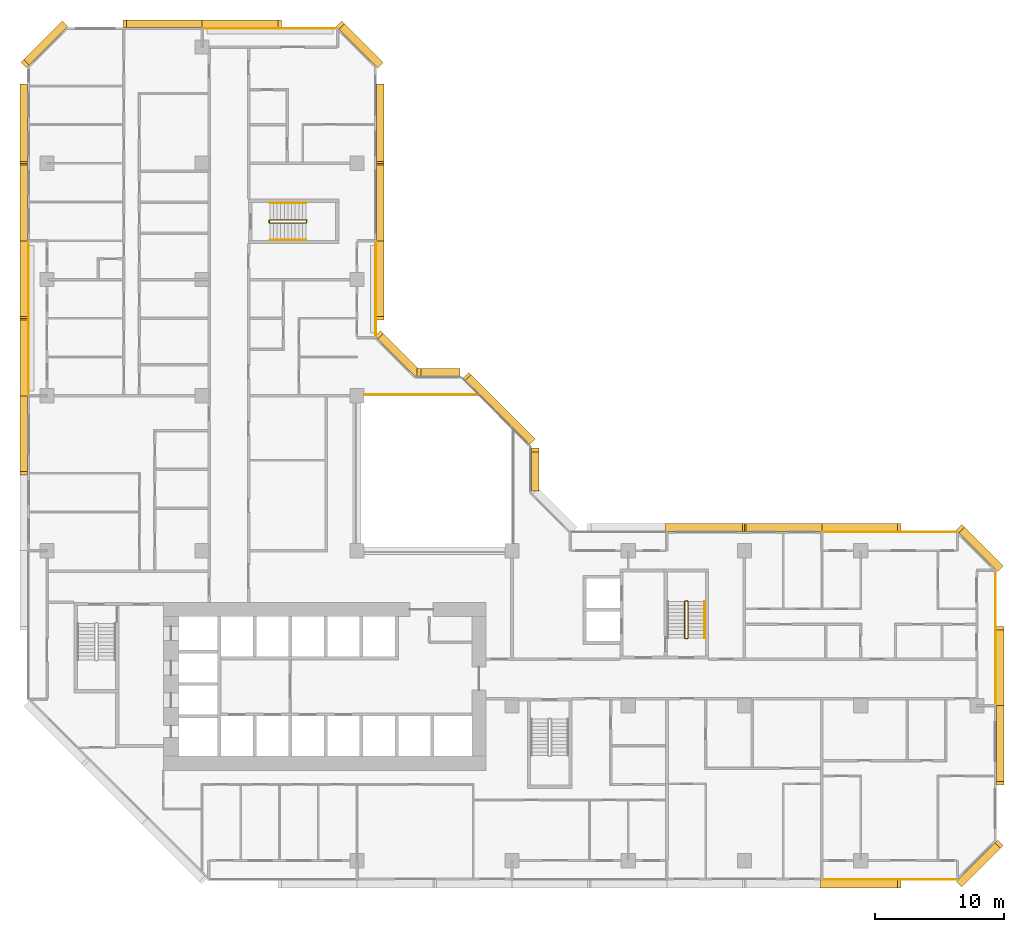
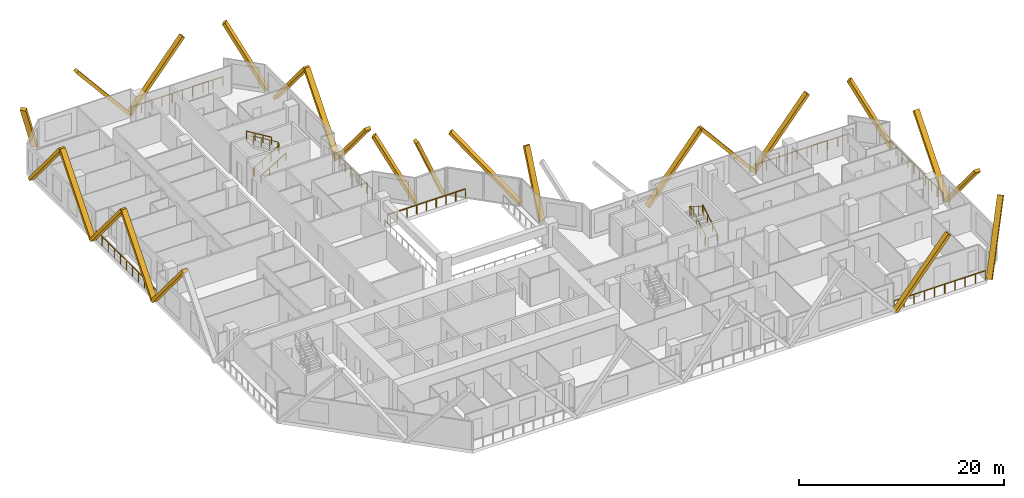
# One storey, part 15 of 15: 24 coverings, 12 railings.
"""IFC4 building model written with IfcOpenShell, lengths in metres."""

from ifc_helpers import new_model, si_unit, direction, frame, origin, origin_2d, place, context, subcontext, project, spatial, rectangle, extrude, material, material_profile, profile_set, type_object, element, save


model = new_model("IFC4")

# Units and contexts
model_context = context("Model", 3, precision=1e-05, world=origin(), true_north=direction((0.0, 1.0)))
body_context = subcontext(model_context, "Body", "Model", "MODEL_VIEW")
ifc_project = project(units=[si_unit("LENGTHUNIT", "METRE"), si_unit("AREAUNIT", "SQUARE_METRE"), si_unit("VOLUMEUNIT", "CUBIC_METRE"), si_unit("PLANEANGLEUNIT", "RADIAN"), si_unit("MASSUNIT", "GRAM", prefix="KILO")], contexts=[model_context])

# Site, building, storey
site_placement = place(None, origin())
site = spatial("IfcSite", under=ifc_project, at=site_placement, CompositionType="ELEMENT")
building_placement = place(site_placement, origin())
building = spatial("IfcBuilding", under=site, at=building_placement, Name="Chenar Terraces", CompositionType="ELEMENT")
storey_placement = place(building_placement, frame((0.0, 0.0, 56.39990234375)))
storey = spatial("IfcBuildingStorey", under=building, at=storey_placement, Name="L11", CompositionType="ELEMENT", Elevation=56.39990234375)

# Railings
ifc_material_1 = material(Name="Powder-coated steel", Category="steel")
railing_type_1 = type_object("IfcRailingType", Name="Guard 1100 steel rail with glass infill", PredefinedType="GUARDRAIL", material=ifc_material_1)
railing_1_placement = place(storey_placement, frame((24.60009765625, 36.10009765625, 0.0)))
element("IfcRailing", 1, at=railing_1_placement, inside=storey, type_object=railing_type_1, Name="Guard L11-2", PredefinedType="GUARDRAIL", context=body_context, shape_type="SweptSolid", body=[
    extrude(rectangle(XDim=0.06005859375, YDim=0.06005859375, at=origin_2d()), frame((0.0, 0.0, 1.070068359375), z_axis=(1.0, 0.0, 0.0), x_axis=(0.0, 1.0, 0.0)), (0.0, 0.0, 1.0), 8.7998046875),
    extrude(rectangle(XDim=0.050048828125, YDim=0.050048828125, at=origin_2d()), origin(), (0.0, 0.0, 1.0), 1.0400390625),
    extrude(rectangle(XDim=0.050048828125, YDim=0.050048828125, at=origin_2d()), frame((1.10009765625, 0.0, 0.0)), (0.0, 0.0, 1.0), 1.0400390625),
    extrude(rectangle(XDim=0.050048828125, YDim=0.050048828125, at=origin_2d()), frame((2.199951171875, 0.0, 0.0)), (0.0, 0.0, 1.0), 1.0400390625),
    extrude(rectangle(XDim=0.050048828125, YDim=0.050048828125, at=origin_2d()), frame((3.2998046875, 0.0, 0.0)), (0.0, 0.0, 1.0), 1.0400390625),
    extrude(rectangle(XDim=0.050048828125, YDim=0.050048828125, at=origin_2d()), frame((4.39990234375, 0.0, 0.0)), (0.0, 0.0, 1.0), 1.0400390625),
    extrude(rectangle(XDim=0.050048828125, YDim=0.050048828125, at=origin_2d()), frame((5.5, 0.0, 0.0)), (0.0, 0.0, 1.0), 1.0400390625),
    extrude(rectangle(XDim=0.050048828125, YDim=0.050048828125, at=origin_2d()), frame((6.599853515625, 0.0, 0.0)), (0.0, 0.0, 1.0), 1.0400390625),
    extrude(rectangle(XDim=0.050048828125, YDim=0.050048828125, at=origin_2d()), frame((7.69970703125, 0.0, 0.0)), (0.0, 0.0, 1.0), 1.0400390625),
    extrude(rectangle(XDim=0.050048828125, YDim=0.050048828125, at=origin_2d()), frame((8.7998046875, 0.0, 0.0)), (0.0, 0.0, 1.0), 1.0400390625),
])
ifc_material_2 = material(Name="Stainless steel and glass", Category="steel")
railing_type_2 = type_object("IfcRailingType", Name="Loggia guard 1150", PredefinedType="GUARDRAIL", material=ifc_material_2)
railing_2_placement = place(storey_placement, frame((25.449951171875, 40.574951171875, 0.0)))
element("IfcRailing", 2, at=railing_2_placement, inside=storey, type_object=railing_type_2, Name="Loggia guard", PredefinedType="GUARDRAIL", context=body_context, shape_type="SweptSolid", body=[
    extrude(rectangle(XDim=0.048095703125, YDim=0.048095703125, at=origin_2d()), frame((0.0, 0.0, 1.1259765625), z_axis=(0.0, 1.0, 0.0), x_axis=(-1.0, 0.0, 0.0)), (0.0, 0.0, 1.0), 7.35009765625),
    extrude(rectangle(XDim=0.0419921875, YDim=0.0419921875, at=origin_2d()), origin(), (0.0, 0.0, 1.0), 1.101806640625),
    extrude(rectangle(XDim=0.0419921875, YDim=0.0419921875, at=origin_2d()), frame((0.0, 1.050048828125, 0.0)), (0.0, 0.0, 1.0), 1.101806640625),
    extrude(rectangle(XDim=0.0419921875, YDim=0.0419921875, at=origin_2d()), frame((0.0, 2.10009765625, 0.0)), (0.0, 0.0, 1.0), 1.101806640625),
    extrude(rectangle(XDim=0.0419921875, YDim=0.0419921875, at=origin_2d()), frame((0.0, 3.150146484375, 0.0)), (0.0, 0.0, 1.0), 1.101806640625),
    extrude(rectangle(XDim=0.0419921875, YDim=0.0419921875, at=origin_2d()), frame((0.0, 4.199951171875, 0.0)), (0.0, 0.0, 1.0), 1.101806640625),
    extrude(rectangle(XDim=0.0419921875, YDim=0.0419921875, at=origin_2d()), frame((0.0, 5.25, 0.0)), (0.0, 0.0, 1.0), 1.101806640625),
    extrude(rectangle(XDim=0.0419921875, YDim=0.0419921875, at=origin_2d()), frame((0.0, 6.300048828125, 0.0)), (0.0, 0.0, 1.0), 1.101806640625),
    extrude(rectangle(XDim=0.0419921875, YDim=0.0419921875, at=origin_2d()), frame((0.0, 7.35009765625, 0.0)), (0.0, 0.0, 1.0), 1.101806640625),
])
railing_3_placement = place(storey_placement, frame((73.449951171875, 12.074951171875, 0.0)))
element("IfcRailing", 3, at=railing_3_placement, inside=storey, type_object=railing_type_2, Name="Loggia guard", PredefinedType="GUARDRAIL", context=body_context, shape_type="SweptSolid", body=[
    extrude(rectangle(XDim=0.048095703125, YDim=0.048095703125, at=origin_2d()), frame((0.0, 0.0, 1.1259765625), z_axis=(0.0, 1.0, 0.0), x_axis=(-1.0, 0.0, 0.0)), (0.0, 0.0, 1.0), 10.35009765625),
    extrude(rectangle(XDim=0.0419921875, YDim=0.0419921875, at=origin_2d()), origin(), (0.0, 0.0, 1.0), 1.101806640625),
    extrude(rectangle(XDim=0.0419921875, YDim=0.0419921875, at=origin_2d()), frame((0.0, 1.14990234375, 0.0)), (0.0, 0.0, 1.0), 1.101806640625),
    extrude(rectangle(XDim=0.0419921875, YDim=0.0419921875, at=origin_2d()), frame((0.0, 2.300048828125, 0.0)), (0.0, 0.0, 1.0), 1.101806640625),
    extrude(rectangle(XDim=0.0419921875, YDim=0.0419921875, at=origin_2d()), frame((0.0, 3.449951171875, 0.0)), (0.0, 0.0, 1.0), 1.101806640625),
    extrude(rectangle(XDim=0.0419921875, YDim=0.0419921875, at=origin_2d()), frame((0.0, 4.60009765625, 0.0)), (0.0, 0.0, 1.0), 1.101806640625),
    extrude(rectangle(XDim=0.0419921875, YDim=0.0419921875, at=origin_2d()), frame((0.0, 5.75, 0.0)), (0.0, 0.0, 1.0), 1.101806640625),
    extrude(rectangle(XDim=0.0419921875, YDim=0.0419921875, at=origin_2d()), frame((0.0, 6.900146484375, 0.0)), (0.0, 0.0, 1.0), 1.101806640625),
    extrude(rectangle(XDim=0.0419921875, YDim=0.0419921875, at=origin_2d()), frame((0.0, 8.050048828125, 0.0)), (0.0, 0.0, 1.0), 1.101806640625),
    extrude(rectangle(XDim=0.0419921875, YDim=0.0419921875, at=origin_2d()), frame((0.0, 9.2001953125, 0.0)), (0.0, 0.0, 1.0), 1.101806640625),
    extrude(rectangle(XDim=0.0419921875, YDim=0.0419921875, at=origin_2d()), frame((0.0, 10.35009765625, 0.0)), (0.0, 0.0, 1.0), 1.101806640625),
])
for number, where, name in (
    (4, (70.425048828125, 25.449951171875, 0.0), "Loggia guard"),
    (5, (22.425048828125, 64.449951171875, 0.0), "Loggia guard"),
):
    element("IfcRailing", number, at=place(storey_placement, frame(where)), inside=storey, type_object=railing_type_2, Name=name, PredefinedType="GUARDRAIL", context=body_context, shape_type="SweptSolid", body=[
        extrude(rectangle(XDim=0.048095703125, YDim=0.048095703125, at=origin_2d()), frame((0.0, 0.0, 1.1259765625), z_axis=(-1.0, 0.0, 0.0), x_axis=(0.0, -1.0, 0.0)), (0.0, 0.0, 1.0), 10.35009765625),
        extrude(rectangle(XDim=0.0419921875, YDim=0.0419921875, at=origin_2d()), origin(), (0.0, 0.0, 1.0), 1.101806640625),
        extrude(rectangle(XDim=0.0419921875, YDim=0.0419921875, at=origin_2d()), frame((-1.14990234375, 0.0, 0.0)), (0.0, 0.0, 1.0), 1.101806640625),
        extrude(rectangle(XDim=0.0419921875, YDim=0.0419921875, at=origin_2d()), frame((-2.300048828125, 0.0, 0.0)), (0.0, 0.0, 1.0), 1.101806640625),
        extrude(rectangle(XDim=0.0419921875, YDim=0.0419921875, at=origin_2d()), frame((-3.449951171875, 0.0, 0.0)), (0.0, 0.0, 1.0), 1.101806640625),
        extrude(rectangle(XDim=0.0419921875, YDim=0.0419921875, at=origin_2d()), frame((-4.60009765625, 0.0, 0.0)), (0.0, 0.0, 1.0), 1.101806640625),
        extrude(rectangle(XDim=0.0419921875, YDim=0.0419921875, at=origin_2d()), frame((-5.75, 0.0, 0.0)), (0.0, 0.0, 1.0), 1.101806640625),
        extrude(rectangle(XDim=0.0419921875, YDim=0.0419921875, at=origin_2d()), frame((-6.900146484375, 0.0, 0.0)), (0.0, 0.0, 1.0), 1.101806640625),
        extrude(rectangle(XDim=0.0419921875, YDim=0.0419921875, at=origin_2d()), frame((-8.050048828125, 0.0, 0.0)), (0.0, 0.0, 1.0), 1.101806640625),
        extrude(rectangle(XDim=0.0419921875, YDim=0.0419921875, at=origin_2d()), frame((-9.2001953125, 0.0, 0.0)), (0.0, 0.0, 1.0), 1.101806640625),
        extrude(rectangle(XDim=0.0419921875, YDim=0.0419921875, at=origin_2d()), frame((-10.35009765625, 0.0, 0.0)), (0.0, 0.0, 1.0), 1.101806640625),
    ])
railing_4_placement = place(storey_placement, frame((60.074951171875, -1.449951171875, 0.0)))
element("IfcRailing", 6, at=railing_4_placement, inside=storey, type_object=railing_type_2, Name="Loggia guard", PredefinedType="GUARDRAIL", context=body_context, shape_type="SweptSolid", body=[
    extrude(rectangle(XDim=0.048095703125, YDim=0.048095703125, at=origin_2d()), frame((0.0, 0.0, 1.1259765625), z_axis=(1.0, 0.0, 0.0), x_axis=(0.0, 1.0, 0.0)), (0.0, 0.0, 1.0), 10.35009765625),
    extrude(rectangle(XDim=0.0419921875, YDim=0.0419921875, at=origin_2d()), origin(), (0.0, 0.0, 1.0), 1.101806640625),
    extrude(rectangle(XDim=0.0419921875, YDim=0.0419921875, at=origin_2d()), frame((1.14990234375, 0.0, 0.0)), (0.0, 0.0, 1.0), 1.101806640625),
    extrude(rectangle(XDim=0.0419921875, YDim=0.0419921875, at=origin_2d()), frame((2.300048828125, 0.0, 0.0)), (0.0, 0.0, 1.0), 1.101806640625),
    extrude(rectangle(XDim=0.0419921875, YDim=0.0419921875, at=origin_2d()), frame((3.449951171875, 0.0, 0.0)), (0.0, 0.0, 1.0), 1.101806640625),
    extrude(rectangle(XDim=0.0419921875, YDim=0.0419921875, at=origin_2d()), frame((4.60009765625, 0.0, 0.0)), (0.0, 0.0, 1.0), 1.101806640625),
    extrude(rectangle(XDim=0.0419921875, YDim=0.0419921875, at=origin_2d()), frame((5.75, 0.0, 0.0)), (0.0, 0.0, 1.0), 1.101806640625),
    extrude(rectangle(XDim=0.0419921875, YDim=0.0419921875, at=origin_2d()), frame((6.900146484375, 0.0, 0.0)), (0.0, 0.0, 1.0), 1.101806640625),
    extrude(rectangle(XDim=0.0419921875, YDim=0.0419921875, at=origin_2d()), frame((8.050048828125, 0.0, 0.0)), (0.0, 0.0, 1.0), 1.101806640625),
    extrude(rectangle(XDim=0.0419921875, YDim=0.0419921875, at=origin_2d()), frame((9.2001953125, 0.0, 0.0)), (0.0, 0.0, 1.0), 1.101806640625),
    extrude(rectangle(XDim=0.0419921875, YDim=0.0419921875, at=origin_2d()), frame((10.35009765625, 0.0, 0.0)), (0.0, 0.0, 1.0), 1.101806640625),
])
railing_5_placement = place(storey_placement, frame((-1.449951171875, 47.925048828125, 0.0)))
element("IfcRailing", 7, at=railing_5_placement, inside=storey, type_object=railing_type_2, Name="Loggia guard", PredefinedType="GUARDRAIL", context=body_context, shape_type="SweptSolid", body=[
    extrude(rectangle(XDim=0.048095703125, YDim=0.048095703125, at=origin_2d()), frame((0.0, 0.0, 1.1259765625), z_axis=(0.0, -1.0, 0.0), x_axis=(1.0, 0.0, 0.0)), (0.0, 0.0, 1.0), 11.85009765625),
    extrude(rectangle(XDim=0.0419921875, YDim=0.0419921875, at=origin_2d()), origin(), (0.0, 0.0, 1.0), 1.101806640625),
    extrude(rectangle(XDim=0.0419921875, YDim=0.0419921875, at=origin_2d()), frame((0.0, -1.18505859375, 0.0)), (0.0, 0.0, 1.0), 1.101806640625),
    extrude(rectangle(XDim=0.0419921875, YDim=0.0419921875, at=origin_2d()), frame((0.0, -2.3701171875, 0.0)), (0.0, 0.0, 1.0), 1.101806640625),
    extrude(rectangle(XDim=0.0419921875, YDim=0.0419921875, at=origin_2d()), frame((0.0, -3.554931640625, 0.0)), (0.0, 0.0, 1.0), 1.101806640625),
    extrude(rectangle(XDim=0.0419921875, YDim=0.0419921875, at=origin_2d()), frame((0.0, -4.739990234375, 0.0)), (0.0, 0.0, 1.0), 1.101806640625),
    extrude(rectangle(XDim=0.0419921875, YDim=0.0419921875, at=origin_2d()), frame((0.0, -5.925048828125, 0.0)), (0.0, 0.0, 1.0), 1.101806640625),
    extrude(rectangle(XDim=0.0419921875, YDim=0.0419921875, at=origin_2d()), frame((0.0, -7.110107421875, 0.0)), (0.0, 0.0, 1.0), 1.101806640625),
    extrude(rectangle(XDim=0.0419921875, YDim=0.0419921875, at=origin_2d()), frame((0.0, -8.295166015625, 0.0)), (0.0, 0.0, 1.0), 1.101806640625),
    extrude(rectangle(XDim=0.0419921875, YDim=0.0419921875, at=origin_2d()), frame((0.0, -9.47998046875, 0.0)), (0.0, 0.0, 1.0), 1.101806640625),
    extrude(rectangle(XDim=0.0419921875, YDim=0.0419921875, at=origin_2d()), frame((0.0, -10.6650390625, 0.0)), (0.0, 0.0, 1.0), 1.101806640625),
    extrude(rectangle(XDim=0.0419921875, YDim=0.0419921875, at=origin_2d()), frame((0.0, -11.85009765625, 0.0)), (0.0, 0.0, 1.0), 1.101806640625),
])
ifc_material_3 = material(Name="Powder-coated steel", Category="steel")
railing_type_3 = type_object("IfcRailingType", Name="Stair guard 1100", PredefinedType="GUARDRAIL", material=ifc_material_3)
railing_6_placement = place(storey_placement, frame((49.375, 17.25, 3.75)))
element("IfcRailing", 8, at=railing_6_placement, inside=storey, type_object=railing_type_3, Name="L11 ST3 stair guard 1", PredefinedType="GUARDRAIL", context=body_context, shape_type="SweptSolid", body=[
    extrude(rectangle(XDim=0.048095703125, YDim=0.048095703125, at=origin_2d()), frame((0.0, 0.0, 1.076171875), z_axis=(0.0, 0.854202870247, -0.519939858505), x_axis=(-1.0, 0.0, 0.0)), (0.0, 0.0, 1.0), 3.278076171875),
    extrude(rectangle(XDim=0.048095703125, YDim=0.048095703125, at=origin_2d()), frame((0.0, 2.800048828125, -0.62841796875), z_axis=(0.270899902878, 0.270899902878, -0.923702595667), x_axis=(-0.707106781187, 0.707106781187, 0.0)), (0.0, 0.0, 1.0), 0.184814453125),
    extrude(rectangle(XDim=0.048095703125, YDim=0.048095703125, at=origin_2d()), frame((0.050048828125, 2.85009765625, -0.798828125), z_axis=(1.0, 0.0, 0.0), x_axis=(0.0, 1.0, 0.0)), (0.0, 0.0, 1.0), 0.14990234375),
    extrude(rectangle(XDim=0.048095703125, YDim=0.048095703125, at=origin_2d()), frame((0.199951171875, 2.85009765625, -0.798828125), z_axis=(0.707106781187, -0.707106781187, 0.0), x_axis=(0.707106781187, 0.707106781187, 0.0)), (0.0, 0.0, 1.0), 0.07080078125),
    extrude(rectangle(XDim=0.048095703125, YDim=0.048095703125, at=origin_2d()), frame((0.25, 2.800048828125, -0.798828125), z_axis=(0.0, -0.854202870247, -0.519939858505), x_axis=(1.0, 0.0, 0.0)), (0.0, 0.0, 1.0), 3.278076171875),
    extrude(rectangle(XDim=0.048095703125, YDim=0.048095703125, at=origin_2d()), frame((0.25, 0.0, -2.50341796875), z_axis=(-0.270899902878, -0.270899902878, -0.923702595667), x_axis=(0.707106781187, -0.707106781187, 0.0)), (0.0, 0.0, 1.0), 0.184814453125),
    extrude(rectangle(XDim=0.048095703125, YDim=0.048095703125, at=origin_2d()), frame((0.199951171875, -0.050048828125, -2.673828125), z_axis=(-1.0, 0.0, 0.0), x_axis=(0.0, -1.0, 0.0)), (0.0, 0.0, 1.0), 0.14990234375),
    extrude(rectangle(XDim=0.0419921875, YDim=0.0419921875, at=origin_2d()), origin(), (0.0, 0.0, 1.0), 1.052001953125),
    extrude(rectangle(XDim=0.0419921875, YDim=0.0419921875, at=origin_2d()), frame((0.0, 0.933349609375, -0.568115234375)), (0.0, 0.0, 1.0), 1.052001953125),
    extrude(rectangle(XDim=0.0419921875, YDim=0.0419921875, at=origin_2d()), frame((0.0, 1.86669921875, -1.13623046875)), (0.0, 0.0, 1.0), 1.052001953125),
    extrude(rectangle(XDim=0.0419921875, YDim=0.0419921875, at=origin_2d()), frame((0.0, 2.800048828125, -1.704345703125)), (0.0, 0.0, 1.0), 1.052001953125),
    extrude(rectangle(XDim=0.0419921875, YDim=0.0419921875, at=origin_2d()), frame((0.050048828125, 2.85009765625, -1.875)), (0.0, 0.0, 1.0), 1.052001953125),
    extrude(rectangle(XDim=0.0419921875, YDim=0.0419921875, at=origin_2d()), frame((0.199951171875, 2.85009765625, -1.875)), (0.0, 0.0, 1.0), 1.052001953125),
    extrude(rectangle(XDim=0.0419921875, YDim=0.0419921875, at=origin_2d()), frame((0.25, 2.800048828125, -1.875)), (0.0, 0.0, 1.0), 1.052001953125),
    extrude(rectangle(XDim=0.0419921875, YDim=0.0419921875, at=origin_2d()), frame((0.25, 1.86669921875, -2.443115234375)), (0.0, 0.0, 1.0), 1.052001953125),
    extrude(rectangle(XDim=0.0419921875, YDim=0.0419921875, at=origin_2d()), frame((0.25, 0.933349609375, -3.01123046875)), (0.0, 0.0, 1.0), 1.052001953125),
    extrude(rectangle(XDim=0.0419921875, YDim=0.0419921875, at=origin_2d()), frame((0.25, 0.0, -3.579345703125)), (0.0, 0.0, 1.0), 1.052001953125),
    extrude(rectangle(XDim=0.0419921875, YDim=0.0419921875, at=origin_2d()), frame((0.199951171875, -0.050048828125, -3.75)), (0.0, 0.0, 1.0), 1.052001953125),
    extrude(rectangle(XDim=0.0419921875, YDim=0.0419921875, at=origin_2d()), frame((0.050048828125, -0.050048828125, -3.75)), (0.0, 0.0, 1.0), 1.052001953125),
])
railing_7_placement = place(storey_placement, frame((17.25, 49.625, 3.75)))
element("IfcRailing", 9, at=railing_7_placement, inside=storey, type_object=railing_type_3, Name="L11 ST4 stair guard 1", PredefinedType="GUARDRAIL", context=body_context, shape_type="SweptSolid", body=[
    extrude(rectangle(XDim=0.048095703125, YDim=0.048095703125, at=origin_2d()), frame((0.0, 0.0, 1.076171875), z_axis=(0.854202870247, 0.0, -0.519939858505), x_axis=(0.0, 1.0, 0.0)), (0.0, 0.0, 1.0), 3.278076171875),
    extrude(rectangle(XDim=0.048095703125, YDim=0.048095703125, at=origin_2d()), frame((2.800048828125, 0.0, -0.62841796875), z_axis=(0.270899902878, -0.270899902878, -0.923702595667), x_axis=(0.707106781187, 0.707106781187, 0.0)), (0.0, 0.0, 1.0), 0.184814453125),
    extrude(rectangle(XDim=0.048095703125, YDim=0.048095703125, at=origin_2d()), frame((2.85009765625, -0.050048828125, -0.798828125), z_axis=(0.0, -1.0, 0.0), x_axis=(1.0, 0.0, 0.0)), (0.0, 0.0, 1.0), 0.14990234375),
    extrude(rectangle(XDim=0.048095703125, YDim=0.048095703125, at=origin_2d()), frame((2.85009765625, -0.199951171875, -0.798828125), z_axis=(-0.707106781187, -0.707106781187, 0.0), x_axis=(0.707106781187, -0.707106781187, 0.0)), (0.0, 0.0, 1.0), 0.07080078125),
    extrude(rectangle(XDim=0.048095703125, YDim=0.048095703125, at=origin_2d()), frame((2.800048828125, -0.25, -0.798828125), z_axis=(-0.854202870247, 0.0, -0.519939858505), x_axis=(0.0, -1.0, 0.0)), (0.0, 0.0, 1.0), 3.278076171875),
    extrude(rectangle(XDim=0.048095703125, YDim=0.048095703125, at=origin_2d()), frame((0.0, -0.25, -2.50341796875), z_axis=(-0.270899902878, 0.270899902878, -0.923702595667), x_axis=(-0.707106781187, -0.707106781187, 0.0)), (0.0, 0.0, 1.0), 0.184814453125),
    extrude(rectangle(XDim=0.048095703125, YDim=0.048095703125, at=origin_2d()), frame((-0.050048828125, -0.199951171875, -2.673828125), z_axis=(0.0, 1.0, 0.0), x_axis=(-1.0, 0.0, 0.0)), (0.0, 0.0, 1.0), 0.14990234375),
    extrude(rectangle(XDim=0.0419921875, YDim=0.0419921875, at=origin_2d()), origin(), (0.0, 0.0, 1.0), 1.052001953125),
    extrude(rectangle(XDim=0.0419921875, YDim=0.0419921875, at=origin_2d()), frame((0.933349609375, 0.0, -0.568115234375)), (0.0, 0.0, 1.0), 1.052001953125),
    extrude(rectangle(XDim=0.0419921875, YDim=0.0419921875, at=origin_2d()), frame((1.86669921875, 0.0, -1.13623046875)), (0.0, 0.0, 1.0), 1.052001953125),
    extrude(rectangle(XDim=0.0419921875, YDim=0.0419921875, at=origin_2d()), frame((2.800048828125, 0.0, -1.704345703125)), (0.0, 0.0, 1.0), 1.052001953125),
    extrude(rectangle(XDim=0.0419921875, YDim=0.0419921875, at=origin_2d()), frame((2.85009765625, -0.050048828125, -1.875)), (0.0, 0.0, 1.0), 1.052001953125),
    extrude(rectangle(XDim=0.0419921875, YDim=0.0419921875, at=origin_2d()), frame((2.85009765625, -0.199951171875, -1.875)), (0.0, 0.0, 1.0), 1.052001953125),
    extrude(rectangle(XDim=0.0419921875, YDim=0.0419921875, at=origin_2d()), frame((2.800048828125, -0.25, -1.875)), (0.0, 0.0, 1.0), 1.052001953125),
    extrude(rectangle(XDim=0.0419921875, YDim=0.0419921875, at=origin_2d()), frame((1.86669921875, -0.25, -2.443115234375)), (0.0, 0.0, 1.0), 1.052001953125),
    extrude(rectangle(XDim=0.0419921875, YDim=0.0419921875, at=origin_2d()), frame((0.933349609375, -0.25, -3.01123046875)), (0.0, 0.0, 1.0), 1.052001953125),
    extrude(rectangle(XDim=0.0419921875, YDim=0.0419921875, at=origin_2d()), frame((0.0, -0.25, -3.579345703125)), (0.0, 0.0, 1.0), 1.052001953125),
    extrude(rectangle(XDim=0.0419921875, YDim=0.0419921875, at=origin_2d()), frame((-0.050048828125, -0.199951171875, -3.75)), (0.0, 0.0, 1.0), 1.052001953125),
    extrude(rectangle(XDim=0.0419921875, YDim=0.0419921875, at=origin_2d()), frame((-0.050048828125, -0.050048828125, -3.75)), (0.0, 0.0, 1.0), 1.052001953125),
])
ifc_material_4 = material(Name="Powder-coated steel", Category="steel")
railing_type_4 = type_object("IfcRailingType", Name="Stair handrail 900", PredefinedType="HANDRAIL", material=ifc_material_4)
railing_8_placement = place(storey_placement, frame((50.925048828125, 17.25, 0.170654296875)))
element("IfcRailing", 10, at=railing_8_placement, inside=storey, type_object=railing_type_4, Name="L11 ST3 stair handrail 1", PredefinedType="HANDRAIL", context=body_context, shape_type="SweptSolid", body=[
    extrude(rectangle(XDim=0.048095703125, YDim=0.048095703125, at=origin_2d()), frame((0.0, 0.0, 0.8759765625), z_axis=(0.0, 0.854202870247, 0.519939858505), x_axis=(-1.0, 0.0, 0.0)), (0.0, 0.0, 1.0), 3.278076171875),
    extrude(rectangle(XDim=0.0419921875, YDim=0.0419921875, at=origin_2d()), origin(), (0.0, 0.0, 1.0), 0.851806640625),
    extrude(rectangle(XDim=0.0419921875, YDim=0.0419921875, at=origin_2d()), frame((0.0, 0.933349609375, 0.568115234375)), (0.0, 0.0, 1.0), 0.851806640625),
    extrude(rectangle(XDim=0.0419921875, YDim=0.0419921875, at=origin_2d()), frame((0.0, 1.86669921875, 1.13623046875)), (0.0, 0.0, 1.0), 0.851806640625),
    extrude(rectangle(XDim=0.0419921875, YDim=0.0419921875, at=origin_2d()), frame((0.0, 2.800048828125, 1.704345703125)), (0.0, 0.0, 1.0), 0.851806640625),
])
railing_9_placement = place(storey_placement, frame((17.25, 48.074951171875, 0.170654296875)))
element("IfcRailing", 11, at=railing_9_placement, inside=storey, type_object=railing_type_4, Name="L11 ST4 stair handrail 1", PredefinedType="HANDRAIL", context=body_context, shape_type="SweptSolid", body=[
    extrude(rectangle(XDim=0.048095703125, YDim=0.048095703125, at=origin_2d()), frame((0.0, 0.0, 0.8759765625), z_axis=(0.854202870247, 0.0, 0.519939858505), x_axis=(0.0, 1.0, 0.0)), (0.0, 0.0, 1.0), 3.278076171875),
    extrude(rectangle(XDim=0.0419921875, YDim=0.0419921875, at=origin_2d()), origin(), (0.0, 0.0, 1.0), 0.851806640625),
    extrude(rectangle(XDim=0.0419921875, YDim=0.0419921875, at=origin_2d()), frame((0.933349609375, 0.0, 0.568115234375)), (0.0, 0.0, 1.0), 0.851806640625),
    extrude(rectangle(XDim=0.0419921875, YDim=0.0419921875, at=origin_2d()), frame((1.86669921875, 0.0, 1.13623046875)), (0.0, 0.0, 1.0), 0.851806640625),
    extrude(rectangle(XDim=0.0419921875, YDim=0.0419921875, at=origin_2d()), frame((2.800048828125, 0.0, 1.704345703125)), (0.0, 0.0, 1.0), 0.851806640625),
])
railing_10_placement = place(storey_placement, frame((20.050048828125, 50.925048828125, 2.045654296875)))
element("IfcRailing", 12, at=railing_10_placement, inside=storey, type_object=railing_type_4, Name="L11 ST4 stair handrail 2", PredefinedType="HANDRAIL", context=body_context, shape_type="SweptSolid", body=[
    extrude(rectangle(XDim=0.048095703125, YDim=0.048095703125, at=origin_2d()), frame((0.0, 0.0, 0.8759765625), z_axis=(-0.854202870247, 0.0, 0.519939858505), x_axis=(0.0, -1.0, 0.0)), (0.0, 0.0, 1.0), 3.278076171875),
    extrude(rectangle(XDim=0.0419921875, YDim=0.0419921875, at=origin_2d()), origin(), (0.0, 0.0, 1.0), 0.851806640625),
    extrude(rectangle(XDim=0.0419921875, YDim=0.0419921875, at=origin_2d()), frame((-0.933349609375, 0.0, 0.568115234375)), (0.0, 0.0, 1.0), 0.851806640625),
    extrude(rectangle(XDim=0.0419921875, YDim=0.0419921875, at=origin_2d()), frame((-1.86669921875, 0.0, 1.13623046875)), (0.0, 0.0, 1.0), 0.851806640625),
    extrude(rectangle(XDim=0.0419921875, YDim=0.0419921875, at=origin_2d()), frame((-2.800048828125, 0.0, 1.704345703125)), (0.0, 0.0, 1.0), 0.851806640625),
])

# Coverings
ifc_material_5 = material(Name="Terracotta", Category="masonry")
ifc_material_profile = material_profile(ifc_material_5, rectangle(XDim=0.60009765625, YDim=0.35009765625, at=origin_2d()), Name="Terracotta baguette 600 x 350")
ifc_profile_set = profile_set([ifc_material_profile], Name="Terracotta")
covering_type = type_object("IfcCoveringType", Name="Terracotta baguette 600 x 350", PredefinedType="CLADDING", material=ifc_profile_set)
for number, where, z_axis, x_axis, name in (
    (13, (66.0, 25.800048828125, 7.35009765625), (-0.640186961885, 0.0, -0.768219144407), (0.0, -1.0, 0.0), "Terracotta baguette"),
    (14, (60.0, 25.800048828125, 0.150146484375), (-0.640186961885, 0.0, 0.768219144407), (0.0, -1.0, 0.0), "Terracotta baguette"),
    (15, (54.0, 25.800048828125, 7.35009765625), (-0.640186961885, 0.0, -0.768219144407), (0.0, -1.0, 0.0), "Terracotta baguette"),
):
    element("IfcCovering", number, at=place(storey_placement, frame(where, z_axis=z_axis, x_axis=x_axis)), inside=storey, type_object=covering_type, Name=name, PredefinedType="CLADDING", context=body_context, shape_type="SweptSolid", body=[
        extrude(rectangle(XDim=0.60009765625, YDim=0.35009765625, at=origin_2d()), origin(), (0.0, 0.0, 1.0), 9.372314453125),
    ])
covering_1_placement = place(storey_placement, frame((37.800048828125, 28.800048828125, 0.150146484375), z_axis=(0.0, 0.384617607118, 0.923075997031), x_axis=(-1.0, 0.0, 0.0)))
element("IfcCovering", 16, at=covering_1_placement, inside=storey, type_object=covering_type, Name="Terracotta baguette", PredefinedType="CLADDING", context=body_context, shape_type="SweptSolid", body=[
    extrude(rectangle(XDim=0.60009765625, YDim=0.35009765625, at=origin_2d()), origin(), (0.0, 0.0, 1.0), 7.800048828125),
])
covering_2_placement = place(storey_placement, frame((37.5, 32.524169921875, 0.150146484375), z_axis=(-0.494240720479, 0.494240720479, 0.715158877761), x_axis=(-0.707106781187, -0.707106781187, 0.0)))
element("IfcCovering", 17, at=covering_2_placement, inside=storey, type_object=covering_type, Name="Terracotta baguette", PredefinedType="CLADDING", context=body_context, shape_type="SweptSolid", body=[
    extrude(rectangle(XDim=0.60009765625, YDim=0.35009765625, at=origin_2d()), origin(), (0.0, 0.0, 1.0), 10.067626953125),
])
covering_3_placement = place(storey_placement, frame((31.800048828125, 37.800048828125, 0.150146484375), z_axis=(-0.384617607118, 0.0, 0.923075997031), x_axis=(0.0, -1.0, 0.0)))
element("IfcCovering", 18, at=covering_3_placement, inside=storey, type_object=covering_type, Name="Terracotta baguette", PredefinedType="CLADDING", context=body_context, shape_type="SweptSolid", body=[
    extrude(rectangle(XDim=0.60009765625, YDim=0.35009765625, at=origin_2d()), origin(), (0.0, 0.0, 1.0), 7.800048828125),
])
covering_4_placement = place(storey_placement, frame((28.712158203125, 37.712158203125, 0.150146484375), z_axis=(-0.358980886355, 0.358980886355, 0.861548284464), x_axis=(-0.707106781187, -0.707106781187, 0.0)))
element("IfcCovering", 19, at=covering_4_placement, inside=storey, type_object=covering_type, Name="Terracotta baguette", PredefinedType="CLADDING", context=body_context, shape_type="SweptSolid", body=[
    extrude(rectangle(XDim=0.60009765625, YDim=0.35009765625, at=origin_2d()), origin(), (0.0, 0.0, 1.0), 8.35693359375),
])
for number, where, z_axis, x_axis, name in (
    (20, (25.800048828125, 42.0, 7.35009765625), (0.0, 0.640186961885, -0.768219144407), (-1.0, 0.0, 0.0), "Terracotta baguette"),
    (21, (25.800048828125, 48.0, 0.150146484375), (0.0, 0.640186961885, 0.768219144407), (-1.0, 0.0, 0.0), "Terracotta baguette"),
    (22, (25.800048828125, 54.0, 7.35009765625), (0.0, 0.640186961885, -0.768219144407), (-1.0, 0.0, 0.0), "Terracotta baguette"),
):
    element("IfcCovering", number, at=place(storey_placement, frame(where, z_axis=z_axis, x_axis=x_axis)), inside=storey, type_object=covering_type, Name=name, PredefinedType="CLADDING", context=body_context, shape_type="SweptSolid", body=[
        extrude(rectangle(XDim=0.60009765625, YDim=0.35009765625, at=origin_2d()), origin(), (0.0, 0.0, 1.0), 9.372314453125),
    ])
covering_5_placement = place(storey_placement, frame((25.712158203125, 61.712158203125, 0.150146484375), z_axis=(-0.358980886355, 0.358980886355, 0.861548284464), x_axis=(-0.707106781187, -0.707106781187, 0.0)))
element("IfcCovering", 23, at=covering_5_placement, inside=storey, type_object=covering_type, Name="Terracotta baguette", PredefinedType="CLADDING", context=body_context, shape_type="SweptSolid", body=[
    extrude(rectangle(XDim=0.60009765625, YDim=0.35009765625, at=origin_2d()), origin(), (0.0, 0.0, 1.0), 8.35693359375),
])
for number, where, z_axis, x_axis, name in (
    (24, (18.0, 64.800048828125, 7.35009765625), (-0.640186961885, 0.0, -0.768219144407), (0.0, -1.0, 0.0), "Terracotta baguette"),
    (25, (12.0, 64.800048828125, 0.150146484375), (-0.640186961885, 0.0, 0.768219144407), (0.0, -1.0, 0.0), "Terracotta baguette"),
):
    element("IfcCovering", number, at=place(storey_placement, frame(where, z_axis=z_axis, x_axis=x_axis)), inside=storey, type_object=covering_type, Name=name, PredefinedType="CLADDING", context=body_context, shape_type="SweptSolid", body=[
        extrude(rectangle(XDim=0.60009765625, YDim=0.35009765625, at=origin_2d()), origin(), (0.0, 0.0, 1.0), 9.372314453125),
    ])
covering_6_placement = place(storey_placement, frame((1.287841796875, 64.712158203125, 0.150146484375), z_axis=(-0.358980886355, -0.358980886355, 0.861548284464), x_axis=(0.707106781187, -0.707106781187, 0.0)))
element("IfcCovering", 26, at=covering_6_placement, inside=storey, type_object=covering_type, Name="Terracotta baguette", PredefinedType="CLADDING", context=body_context, shape_type="SweptSolid", body=[
    extrude(rectangle(XDim=0.60009765625, YDim=0.35009765625, at=origin_2d()), origin(), (0.0, 0.0, 1.0), 8.35693359375),
])
for number, where, z_axis, x_axis, name in (
    (27, (-1.800048828125, 60.0, 0.150146484375), (0.0, -0.640186961885, 0.768219144407), (1.0, 0.0, 0.0), "Terracotta baguette"),
    (28, (-1.800048828125, 54.0, 7.35009765625), (0.0, -0.640186961885, -0.768219144407), (1.0, 0.0, 0.0), "Terracotta baguette"),
    (29, (-1.800048828125, 48.0, 0.150146484375), (0.0, -0.640186961885, 0.768219144407), (1.0, 0.0, 0.0), "Terracotta baguette"),
    (30, (-1.800048828125, 42.0, 7.35009765625), (0.0, -0.640186961885, -0.768219144407), (1.0, 0.0, 0.0), "Terracotta baguette"),
    (31, (-1.800048828125, 36.0, 0.150146484375), (0.0, -0.640186961885, 0.768219144407), (1.0, 0.0, 0.0), "Terracotta baguette"),
    (32, (60.0, -1.800048828125, 0.150146484375), (0.640186961885, 0.0, 0.768219144407), (0.0, 1.0, 0.0), "Terracotta baguette"),
):
    element("IfcCovering", number, at=place(storey_placement, frame(where, z_axis=z_axis, x_axis=x_axis)), inside=storey, type_object=covering_type, Name=name, PredefinedType="CLADDING", context=body_context, shape_type="SweptSolid", body=[
        extrude(rectangle(XDim=0.60009765625, YDim=0.35009765625, at=origin_2d()), origin(), (0.0, 0.0, 1.0), 9.372314453125),
    ])
covering_7_placement = place(storey_placement, frame((70.712158203125, -1.712158203125, 0.150146484375), z_axis=(0.358980886355, 0.358980886355, 0.861548284464), x_axis=(-0.707106781187, 0.707106781187, 0.0)))
element("IfcCovering", 33, at=covering_7_placement, inside=storey, type_object=covering_type, Name="Terracotta baguette", PredefinedType="CLADDING", context=body_context, shape_type="SweptSolid", body=[
    extrude(rectangle(XDim=0.60009765625, YDim=0.35009765625, at=origin_2d()), origin(), (0.0, 0.0, 1.0), 8.35693359375),
])
for number, where, z_axis, x_axis, name in (
    (34, (73.800048828125, 6.0, 7.35009765625), (0.0, 0.640186961885, -0.768219144407), (-1.0, 0.0, 0.0), "Terracotta baguette"),
    (35, (73.800048828125, 12.0, 0.150146484375), (0.0, 0.640186961885, 0.768219144407), (-1.0, 0.0, 0.0), "Terracotta baguette"),
):
    element("IfcCovering", number, at=place(storey_placement, frame(where, z_axis=z_axis, x_axis=x_axis)), inside=storey, type_object=covering_type, Name=name, PredefinedType="CLADDING", context=body_context, shape_type="SweptSolid", body=[
        extrude(rectangle(XDim=0.60009765625, YDim=0.35009765625, at=origin_2d()), origin(), (0.0, 0.0, 1.0), 9.372314453125),
    ])
covering_8_placement = place(storey_placement, frame((73.712158203125, 22.712158203125, 0.150146484375), z_axis=(-0.358980886355, 0.358980886355, 0.861548284464), x_axis=(-0.707106781187, -0.707106781187, 0.0)))
element("IfcCovering", 36, at=covering_8_placement, inside=storey, type_object=covering_type, Name="Terracotta baguette", PredefinedType="CLADDING", context=body_context, shape_type="SweptSolid", body=[
    extrude(rectangle(XDim=0.60009765625, YDim=0.35009765625, at=origin_2d()), origin(), (0.0, 0.0, 1.0), 8.35693359375),
])

save(model, "model.ifc")
